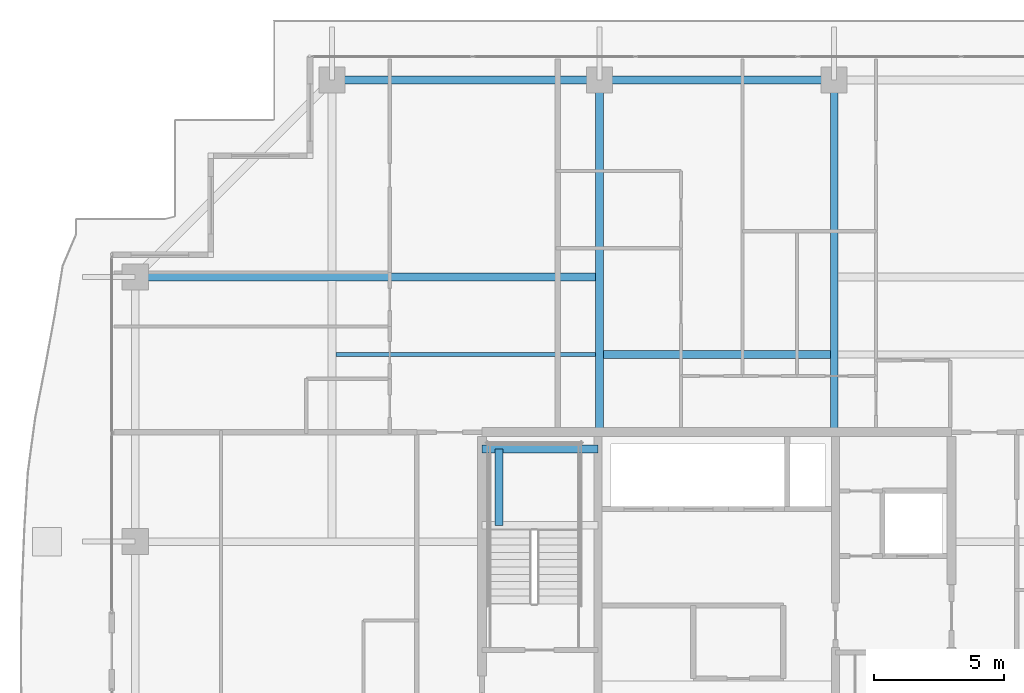
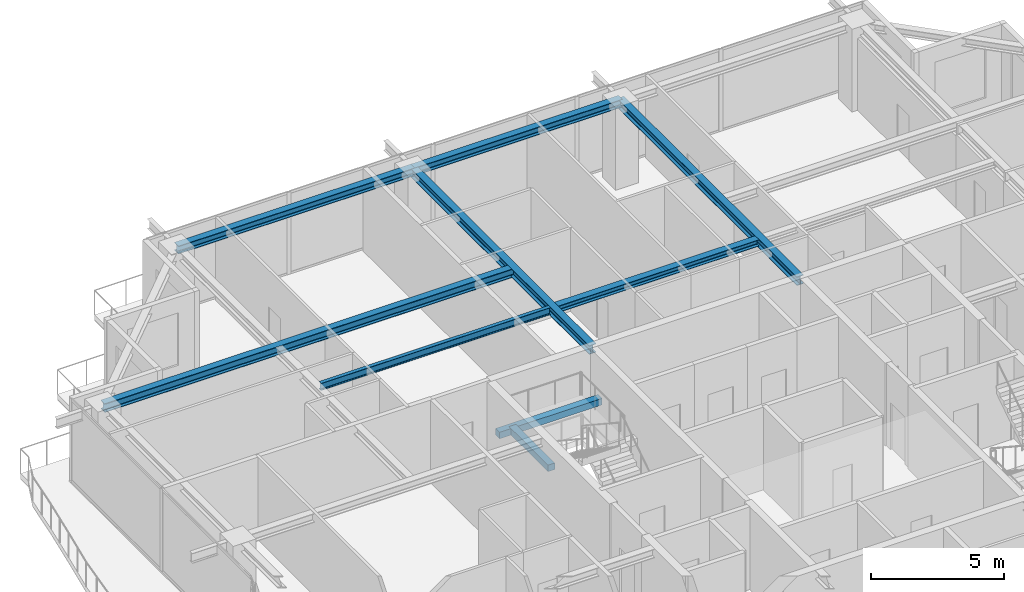
# One storey, part 20 of 38: 9 beams.
"""IFC4 building model written with IfcOpenShell, lengths in metres."""

from ifc_helpers import new_model, si_unit, direction, frame, origin, origin_2d, place, context, subcontext, project, spatial, rectangle, i_section, extrude, source, transform, mapped, material, material_profile, profile_set, type_object, element, save


model = new_model("IFC4")

# Units and contexts
model_context = context("Model", 3, precision=1e-05, world=origin(), true_north=direction((0.0, 1.0)))
body_context = subcontext(model_context, "Body", "Model", "MODEL_VIEW")
ifc_project = project(units=[si_unit("LENGTHUNIT", "METRE"), si_unit("AREAUNIT", "SQUARE_METRE"), si_unit("VOLUMEUNIT", "CUBIC_METRE"), si_unit("PLANEANGLEUNIT", "RADIAN"), si_unit("MASSUNIT", "GRAM", prefix="KILO")], contexts=[model_context])

# Site, building, storey
site_placement = place(None, origin())
site = spatial("IfcSite", under=ifc_project, at=site_placement, CompositionType="ELEMENT")
building_placement = place(site_placement, origin())
building = spatial("IfcBuilding", under=site, at=building_placement, Name="Serunith Strait Residences", CompositionType="ELEMENT")
storey_placement = place(building_placement, frame((0.0, 0.0, 321.800048828125)))
storey = spatial("IfcBuildingStorey", under=building, at=storey_placement, Name="L80", CompositionType="ELEMENT", Elevation=321.800048828125)

# Beams
ifc_material_1 = material(Name="Steel S355J2", Category="steel")
ifc_material_profile_1 = material_profile(ifc_material_1, i_section(OverallWidth=0.300048828125, OverallDepth=0.300048828125, WebThickness=0.010986328125, FlangeThickness=0.01904296875, FilletRadius=0.027099609375, at=origin_2d()), Name="HEB 300")
ifc_profile_set_1 = profile_set([ifc_material_profile_1], Name="Steel S355J2")
beam_type_1 = type_object("IfcBeamType", Name="BM-HEB300", PredefinedType="JOIST", material=ifc_profile_set_1)
shared_shape_1 = source(origin(), body_context, "Body", "SweptSolid", [
    extrude(i_section(OverallWidth=0.300048828125, OverallDepth=0.300048828125, WebThickness=0.010986328125, FlangeThickness=0.01904296875, FilletRadius=0.027099609375, at=origin_2d()), origin(), (0.0, 0.0, 1.0), 8.699951171875),
])
beam_1_placement = place(storey_placement, frame((28.050048828125, 36.574951171875, 3.636962890625), z_axis=(1.0, 0.0, 0.0), x_axis=(0.0, 1.0, 0.0)))
element("IfcBeam", 1, at=beam_1_placement, inside=storey, type_object=beam_type_1, Name="L80 Composite Floor Joist 05", PredefinedType="JOIST", context=body_context, shape_type="MappedRepresentation", body=[
    mapped(shared_shape_1, transform((0.0, 0.0, 0.0), scale=1.0)),
])
ifc_material_profile_2 = material_profile(ifc_material_1, i_section(OverallWidth=0.159912109375, OverallDepth=0.330078125, WebThickness=0.007568359375, FlangeThickness=0.011474609375, FilletRadius=0.01806640625, at=origin_2d()), Name="IPE 330")
ifc_profile_set_2 = profile_set([ifc_material_profile_2], Name="Steel S355J2")
beam_type_2 = type_object("IfcBeamType", Name="BM-IPE330", PredefinedType="JOIST", material=ifc_profile_set_2)
shared_shape_2 = source(origin(), body_context, "Body", "SweptSolid", [
    extrude(i_section(OverallWidth=0.159912109375, OverallDepth=0.330078125, WebThickness=0.007568359375, FlangeThickness=0.011474609375, FilletRadius=0.01806640625, at=origin_2d()), origin(), (0.0, 0.0, 1.0), 9.949951171875),
])
beam_2_placement = place(storey_placement, frame((17.800048828125, 36.574951171875, 3.6220703125), z_axis=(1.0, 0.0, 0.0), x_axis=(0.0, 1.0, 0.0)))
element("IfcBeam", 2, at=beam_2_placement, inside=storey, type_object=beam_type_2, Name="L80 Composite Floor Joist 04", PredefinedType="JOIST", context=body_context, shape_type="MappedRepresentation", body=[
    mapped(shared_shape_2, transform((0.0, 0.0, 0.0), scale=1.0)),
])
ifc_material_profile_3 = material_profile(ifc_material_1, i_section(OverallWidth=0.300048828125, OverallDepth=0.39990234375, WebThickness=0.013427734375, FlangeThickness=0.02392578125, FilletRadius=0.027099609375, at=origin_2d()), Name="HEB 400")
ifc_profile_set_3 = profile_set([ifc_material_profile_3], Name="Steel S355J2")
beam_type_3 = type_object("IfcBeamType", Name="BM-HEB400", PredefinedType="BEAM", material=ifc_profile_set_3)
shared_shape_3 = source(origin(), body_context, "Body", "SweptSolid", [
    extrude(i_section(OverallWidth=0.300048828125, OverallDepth=0.39990234375, WebThickness=0.013427734375, FlangeThickness=0.02392578125, FilletRadius=0.027099609375, at=origin_2d()), origin(), (0.0, 0.0, 1.0), 13.5),
])
for number, where, z_axis, x_axis, name in (
    (3, (27.89990234375, 33.60009765625, 3.5869140625), (0.0, 1.0, 0.0), (-1.0, 0.0, 0.0), "L80 Primary Floor Girder TC-N2"),
    (4, (36.89990234375, 33.60009765625, 3.5869140625), (0.0, 1.0, 0.0), (-1.0, 0.0, 0.0), "L80 Primary Floor Girder TC-N3"),
):
    element("IfcBeam", number, at=place(storey_placement, frame(where, z_axis=z_axis, x_axis=x_axis)), inside=storey, type_object=beam_type_3, Name=name, PredefinedType="BEAM", context=body_context, shape_type="MappedRepresentation", body=[
        mapped(shared_shape_3, transform((0.0, 0.0, 0.0), scale=1.0)),
    ])
shared_shape_4 = source(origin(), body_context, "Body", "SweptSolid", [
    extrude(i_section(OverallWidth=0.300048828125, OverallDepth=0.39990234375, WebThickness=0.013427734375, FlangeThickness=0.02392578125, FilletRadius=0.027099609375, at=origin_2d()), origin(), (0.0, 0.0, 1.0), 17.7998046875),
])
beam_3_placement = place(storey_placement, frame((27.89990234375, 39.550048828125, 3.5869140625), z_axis=(-1.0, 0.0, 0.0), x_axis=(0.0, -1.0, 0.0)))
element("IfcBeam", 5, at=beam_3_placement, inside=storey, type_object=beam_type_3, Name="L80 Orthogonal Corner Girder TC-W4", PredefinedType="BEAM", context=body_context, shape_type="MappedRepresentation", body=[
    mapped(shared_shape_4, transform((0.0, 0.0, 0.0), scale=1.0)),
])
ifc_material_profile_4 = material_profile(ifc_material_1, i_section(OverallWidth=0.300048828125, OverallDepth=0.360107421875, WebThickness=0.012451171875, FlangeThickness=0.0224609375, FilletRadius=0.027099609375, at=origin_2d()), Name="HEB 360")
ifc_profile_set_4 = profile_set([ifc_material_profile_4], Name="Steel S355J2")
beam_type_4 = type_object("IfcBeamType", Name="BM-HEB360", PredefinedType="BEAM", material=ifc_profile_set_4)
shared_shape_5 = source(origin(), body_context, "Body", "SweptSolid", [
    extrude(i_section(OverallWidth=0.300048828125, OverallDepth=0.360107421875, WebThickness=0.012451171875, FlangeThickness=0.0224609375, FilletRadius=0.027099609375, at=origin_2d()), origin(), (0.0, 0.0, 1.0), 10.25),
])
beam_4_placement = place(storey_placement, frame((27.89990234375, 47.10009765625, 3.60693359375), z_axis=(-1.0, 0.0, 0.0), x_axis=(0.0, -1.0, 0.0)))
element("IfcBeam", 6, at=beam_4_placement, inside=storey, type_object=beam_type_4, Name="L80 Perimeter Ring Beam 11", PredefinedType="BEAM", context=body_context, shape_type="MappedRepresentation", body=[
    mapped(shared_shape_5, transform((0.0, 0.0, 0.0), scale=1.0)),
])
shared_shape_6 = source(origin(), body_context, "Body", "SweptSolid", [
    extrude(i_section(OverallWidth=0.300048828125, OverallDepth=0.360107421875, WebThickness=0.012451171875, FlangeThickness=0.0224609375, FilletRadius=0.027099609375, at=origin_2d()), origin(), (0.0, 0.0, 1.0), 9.0),
])
beam_5_placement = place(storey_placement, frame((36.89990234375, 47.10009765625, 3.60693359375), z_axis=(-1.0, 0.0, 0.0), x_axis=(0.0, -1.0, 0.0)))
element("IfcBeam", 7, at=beam_5_placement, inside=storey, type_object=beam_type_4, Name="L80 Perimeter Ring Beam 10", PredefinedType="BEAM", context=body_context, shape_type="MappedRepresentation", body=[
    mapped(shared_shape_6, transform((0.0, 0.0, 0.0), scale=1.0)),
])
ifc_material_2 = material(Name="Concrete C60/75", Category="concrete")
ifc_material_profile_5 = material_profile(ifc_material_2, rectangle(XDim=0.300048828125, YDim=0.300048828125, at=origin_2d()), Name="RC 300x300")
ifc_profile_set_5 = profile_set([ifc_material_profile_5], Name="Concrete C60/75")
beam_type_5 = type_object("IfcBeamType", Name="BM-LAND-300x300", PredefinedType="BEAM", material=ifc_profile_set_5)
shared_shape_7 = source(origin(), body_context, "Body", "SweptSolid", [
    extrude(rectangle(XDim=0.300048828125, YDim=0.300048828125, at=origin_2d()), origin(), (0.0, 0.0, 1.0), 4.4501953125),
])
beam_6_placement = place(storey_placement, frame((23.39990234375, 32.949951171875, 1.675048828125), z_axis=(1.0, 0.0, 0.0), x_axis=(0.0, 1.0, 0.0)))
element("IfcBeam", 8, at=beam_6_placement, inside=storey, type_object=beam_type_5, Name="L80 ST-1 Landing Support Beam 2", PredefinedType="BEAM", context=body_context, shape_type="MappedRepresentation", body=[
    mapped(shared_shape_7, transform((0.0, 0.0, 0.0), scale=1.0)),
])
shared_shape_8 = source(origin(), body_context, "Body", "SweptSolid", [
    extrude(rectangle(XDim=0.300048828125, YDim=0.300048828125, at=origin_2d()), origin(), (0.0, 0.0, 1.0), 2.919921875),
])
beam_7_placement = place(storey_placement, frame((24.050048828125, 30.030029296875, 1.675048828125), z_axis=(0.0, 1.0, 0.0), x_axis=(-1.0, 0.0, 0.0)))
element("IfcBeam", 9, at=beam_7_placement, inside=storey, type_object=beam_type_5, Name="L80 ST-1 Landing Transverse Tie Beam", PredefinedType="BEAM", context=body_context, shape_type="MappedRepresentation", body=[
    mapped(shared_shape_8, transform((0.0, 0.0, 0.0), scale=1.0)),
])

save(model, "model.ifc")
